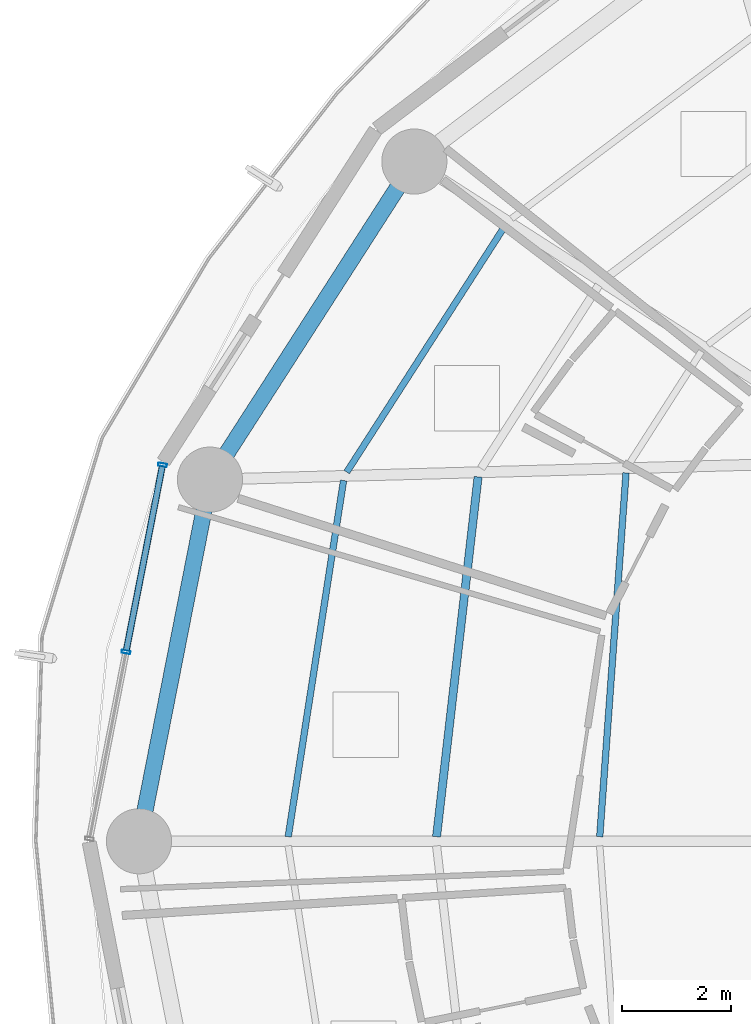
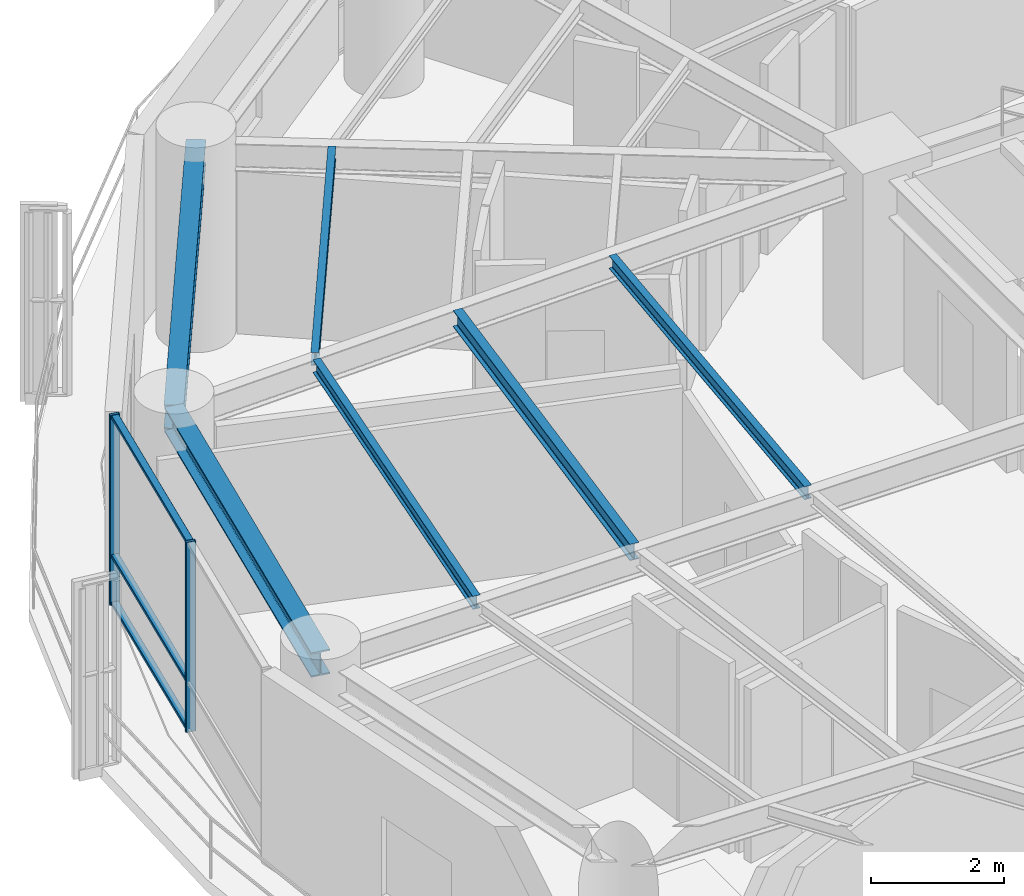
# One storey, part 8 of 27: 6 beams, 5 members, 1 element without a shape of its own.
"""IFC4 building model written with IfcOpenShell, lengths in metres."""

from ifc_helpers import new_model, si_unit, direction, frame, origin, origin_2d, place, context, subcontext, project, spatial, hollow_rectangle, i_section, extrude, material, layer, layer_set, material_profile, profile_set, type_object, element, aggregate, save


model = new_model("IFC4")

# Units and contexts
model_context = context("Model", 3, precision=1e-05, world=origin(), true_north=direction((0.0, 1.0)))
body_context = subcontext(model_context, "Body", "Model", "MODEL_VIEW")
ifc_project = project(units=[si_unit("LENGTHUNIT", "METRE"), si_unit("AREAUNIT", "SQUARE_METRE"), si_unit("VOLUMEUNIT", "CUBIC_METRE"), si_unit("PLANEANGLEUNIT", "RADIAN"), si_unit("MASSUNIT", "GRAM", prefix="KILO")], contexts=[model_context])

# Site, building, storey
site_placement = place(None, origin())
site = spatial("IfcSite", under=ifc_project, at=site_placement, CompositionType="ELEMENT")
building_placement = place(site_placement, origin())
building = spatial("IfcBuilding", under=site, at=building_placement, Name="Kelanora Arch Commons", CompositionType="ELEMENT")
storey_placement = place(building_placement, frame((0.0, 0.0, 154.35009765625)))
storey = spatial("IfcBuildingStorey", under=building, at=storey_placement, Name="L39", CompositionType="ELEMENT", Elevation=154.35009765625)

# Beams
ifc_material_1 = material(Name="Steel S355", Category="steel")
ifc_material_profile_1 = material_profile(ifc_material_1, i_section(OverallWidth=0.14990234375, OverallDepth=0.300048828125, WebThickness=0.007080078125, FlangeThickness=0.0107421875, FilletRadius=0.014892578125, at=origin_2d()), Name="IPE300")
ifc_profile_set_1 = profile_set([ifc_material_profile_1], Name="Steel S355")
beam_type_1 = type_object("IfcBeamType", Name="BM-JST-01", PredefinedType="JOIST", material=ifc_profile_set_1)
beam_1_placement = place(storey_placement, frame((58.56689453125, 64.713134765625, 3.33984375), z_axis=(-0.114667159005, -0.9934039675, 0.0), x_axis=(0.9934039675, -0.114667159005, 0.0)))
element("IfcBeam", 1, at=beam_1_placement, inside=storey, type_object=beam_type_1, Name="Secondary Chord Joist BJB-16 L39", PredefinedType="JOIST", context=body_context, shape_type="SweptSolid", body=[
    extrude(i_section(OverallWidth=0.14990234375, OverallDepth=0.300048828125, WebThickness=0.007080078125, FlangeThickness=0.0107421875, FilletRadius=0.014892578125, at=origin_2d()), origin(), (0.0, 0.0, 1.0), 6.672607421875),
])
ifc_material_profile_2 = material_profile(ifc_material_1, i_section(OverallWidth=0.1201171875, OverallDepth=0.239990234375, WebThickness=0.006103515625, FlangeThickness=0.009765625, FilletRadius=0.014892578125, at=origin_2d()), Name="IPE240")
ifc_profile_set_2 = profile_set([ifc_material_profile_2], Name="Steel S355")
beam_type_2 = type_object("IfcBeamType", Name="BM-JST-02", PredefinedType="JOIST", material=ifc_profile_set_2)
beam_2_placement = place(storey_placement, frame((59.06787109375, 69.345703125, 3.369873046875), z_axis=(-0.540581678156, -0.841291536414, 0.0), x_axis=(0.841291536414, -0.540581678156, 0.0)))
element("IfcBeam", 2, at=beam_2_placement, inside=storey, type_object=beam_type_2, Name="Secondary Chord Joist BJC-14 L39", PredefinedType="JOIST", context=body_context, shape_type="SweptSolid", body=[
    extrude(i_section(OverallWidth=0.1201171875, OverallDepth=0.239990234375, WebThickness=0.006103515625, FlangeThickness=0.009765625, FilletRadius=0.014892578125, at=origin_2d()), origin(), (0.0, 0.0, 1.0), 5.4013671875),
])
beam_3_placement = place(storey_placement, frame((61.292236328125, 64.787109375, 3.369873046875), z_axis=(-0.072117123738, -0.997396170267, 0.0), x_axis=(0.997396170267, -0.072117123738, 0.0)))
element("IfcBeam", 3, at=beam_3_placement, inside=storey, type_object=beam_type_2, Name="Secondary Chord Joist BJA-16 L39", PredefinedType="JOIST", context=body_context, shape_type="SweptSolid", body=[
    extrude(i_section(OverallWidth=0.1201171875, OverallDepth=0.239990234375, WebThickness=0.006103515625, FlangeThickness=0.009765625, FilletRadius=0.014892578125, at=origin_2d()), origin(), (0.0, 0.0, 1.0), 6.719970703125),
])
beam_4_placement = place(storey_placement, frame((56.0888671875, 64.64599609375, 3.369873046875), z_axis=(-0.153562625853, -0.988138917329, 0.0), x_axis=(0.988138917329, -0.153562625853, 0.0)))
element("IfcBeam", 4, at=beam_4_placement, inside=storey, type_object=beam_type_2, Name="Secondary Chord Joist BJC-16 L39", PredefinedType="JOIST", context=body_context, shape_type="SweptSolid", body=[
    extrude(i_section(OverallWidth=0.1201171875, OverallDepth=0.239990234375, WebThickness=0.006103515625, FlangeThickness=0.009765625, FilletRadius=0.014892578125, at=origin_2d()), origin(), (0.0, 0.0, 1.0), 6.640869140625),
])
ifc_material_profile_3 = material_profile(ifc_material_1, i_section(OverallWidth=0.300048828125, OverallDepth=0.449951171875, WebThickness=0.013916015625, FlangeThickness=0.02587890625, FilletRadius=0.027099609375, at=origin_2d()), Name="HEB450")
ifc_profile_set_3 = profile_set([ifc_material_profile_3], Name="Steel S355")
beam_type_3 = type_object("IfcBeamType", Name="BM-SPN-Z3", PredefinedType="SPANDREL", material=ifc_profile_set_3)
beam_5_placement = place(storey_placement, frame((57.39208984375, 70.521484375, 3.264892578125), z_axis=(-0.540576852469, -0.841294637196, 0.0), x_axis=(0.841294637196, -0.540576852469, 0.0)))
element("IfcBeam", 5, at=beam_5_placement, inside=storey, type_object=beam_type_3, Name="Perimeter Spandrel Beam BS-14 L39", PredefinedType="SPANDREL", context=body_context, shape_type="SweptSolid", body=[
    extrude(i_section(OverallWidth=0.300048828125, OverallDepth=0.449951171875, WebThickness=0.013916015625, FlangeThickness=0.02587890625, FilletRadius=0.027099609375, at=origin_2d()), origin(), (0.0, 0.0, 1.0), 6.964111328125),
])
beam_6_placement = place(storey_placement, frame((53.62744140625, 64.66259765625, 3.264892578125), z_axis=(-0.192553643556, -0.981286448675, 0.0), x_axis=(0.981286448675, -0.192553643556, 0.0)))
element("IfcBeam", 6, at=beam_6_placement, inside=storey, type_object=beam_type_3, Name="Perimeter Spandrel Beam BS-16 L39", PredefinedType="SPANDREL", context=body_context, shape_type="SweptSolid", body=[
    extrude(i_section(OverallWidth=0.300048828125, OverallDepth=0.449951171875, WebThickness=0.013916015625, FlangeThickness=0.02587890625, FilletRadius=0.027099609375, at=origin_2d()), origin(), (0.0, 0.0, 1.0), 6.78955078125),
])

# Curtain wall, members
ifc_material_2 = material(Name="Terracotta ceramic-fritted low-E glass and aluminium", Category="masonry")
ifc_layer = layer(ifc_material_2, 0.175048828125)
ifc_layer_set = layer_set([ifc_layer], Name="Terracotta ceramic-fritted low-E glass and aluminium")
curtain_wall_type = type_object("IfcCurtainWallType", Name="CW-SYS-02", PredefinedType="NOTDEFINED", material=ifc_layer_set)
curtain_wall_placement = place(storey_placement, origin())
curtain_wall = element("IfcCurtainWall", 7, at=curtain_wall_placement, inside=storey, type_object=curtain_wall_type, Name="Unitised Curtain Wall L39-B08", PredefinedType="NOTDEFINED")
ifc_material_3 = material(Name="Powder-coated aluminium terracotta", Category="masonry")
ifc_material_profile_4 = material_profile(ifc_material_3, hollow_rectangle(XDim=0.159912109375, YDim=0.06005859375, WallThickness=0.0048828125, InnerFilletRadius=0.0048828125, OuterFilletRadius=0.010009765625, at=origin_2d()), Name="CWM160x60")
ifc_profile_set_4 = profile_set([ifc_material_profile_4], Name="Powder-coated aluminium terracotta")
member_type_1 = type_object("IfcMemberType", Name="CWM-STD", PredefinedType="MULLION", material=ifc_profile_set_4)
member_1_placement = place(storey_placement, frame((52.754150390625, 64.93310546875, 0.0), z_axis=(0.0, 0.0, 1.0), x_axis=(0.981452557718, -0.191705182375, 0.0)))
member_1 = element("IfcMember", 8, at=member_1_placement, type_object=member_type_1, Name="CW-02 mullion 1", PredefinedType="MULLION", context=body_context, shape_type="SweptSolid", body=[
    extrude(hollow_rectangle(XDim=0.159912109375, YDim=0.06005859375, WallThickness=0.0048828125, InnerFilletRadius=0.0048828125, OuterFilletRadius=0.010009765625, at=origin_2d()), origin(), (0.0, 0.0, 1.0), 3.474853515625),
])
member_2_placement = place(storey_placement, frame((52.08154296875, 61.488525390625, 0.0), z_axis=(0.0, 0.0, 1.0), x_axis=(0.981452557718, -0.191705182375, 0.0)))
member_2 = element("IfcMember", 9, at=member_2_placement, type_object=member_type_1, Name="CW-02 mullion 2", PredefinedType="MULLION", context=body_context, shape_type="SweptSolid", body=[
    extrude(hollow_rectangle(XDim=0.159912109375, YDim=0.06005859375, WallThickness=0.0048828125, InnerFilletRadius=0.0048828125, OuterFilletRadius=0.010009765625, at=origin_2d()), origin(), (0.0, 0.0, 1.0), 3.474853515625),
])
ifc_material_profile_5 = material_profile(ifc_material_3, hollow_rectangle(XDim=0.1201171875, YDim=0.06005859375, WallThickness=0.0048828125, InnerFilletRadius=0.0048828125, OuterFilletRadius=0.010009765625, at=origin_2d()), Name="CWT120x60")
ifc_profile_set_5 = profile_set([ifc_material_profile_5], Name="Powder-coated aluminium terracotta")
member_type_2 = type_object("IfcMemberType", Name="CWT-STD", PredefinedType="USERDEFINED", material=ifc_profile_set_5)
member_3_placement = place(storey_placement, frame((52.74853515625, 64.903564453125, 0.02978515625), z_axis=(-0.191731523726, -0.981447412147, 0.0), x_axis=(0.981447412147, -0.191731523726, 0.0)))
member_3 = element("IfcMember", 10, at=member_3_placement, type_object=member_type_2, Name="CW-02 transom 1.1", ObjectType="TRANSOM", PredefinedType="USERDEFINED", context=body_context, shape_type="SweptSolid", body=[
    extrude(hollow_rectangle(XDim=0.1201171875, YDim=0.06005859375, WallThickness=0.0048828125, InnerFilletRadius=0.0048828125, OuterFilletRadius=0.010009765625, at=origin_2d()), origin(), (0.0, 0.0, 1.0), 3.449462890625),
])
member_4_placement = place(storey_placement, frame((52.74853515625, 64.903564453125, 0.89990234375), z_axis=(-0.191731523726, -0.981447412147, 0.0), x_axis=(0.981447412147, -0.191731523726, 0.0)))
member_4 = element("IfcMember", 11, at=member_4_placement, type_object=member_type_2, Name="CW-02 transom 1.2", ObjectType="TRANSOM", PredefinedType="USERDEFINED", context=body_context, shape_type="SweptSolid", body=[
    extrude(hollow_rectangle(XDim=0.1201171875, YDim=0.06005859375, WallThickness=0.0048828125, InnerFilletRadius=0.0048828125, OuterFilletRadius=0.010009765625, at=origin_2d()), origin(), (0.0, 0.0, 1.0), 3.449462890625),
])
member_5_placement = place(storey_placement, frame((52.74853515625, 64.903564453125, 3.44482421875), z_axis=(-0.191731523726, -0.981447412147, 0.0), x_axis=(0.981447412147, -0.191731523726, 0.0)))
member_5 = element("IfcMember", 12, at=member_5_placement, type_object=member_type_2, Name="CW-02 transom 1.3", ObjectType="TRANSOM", PredefinedType="USERDEFINED", context=body_context, shape_type="SweptSolid", body=[
    extrude(hollow_rectangle(XDim=0.1201171875, YDim=0.06005859375, WallThickness=0.0048828125, InnerFilletRadius=0.0048828125, OuterFilletRadius=0.010009765625, at=origin_2d()), origin(), (0.0, 0.0, 1.0), 3.449462890625),
])
aggregate(curtain_wall, [member_1, member_2, member_3, member_4, member_5])

save(model, "model.ifc")
